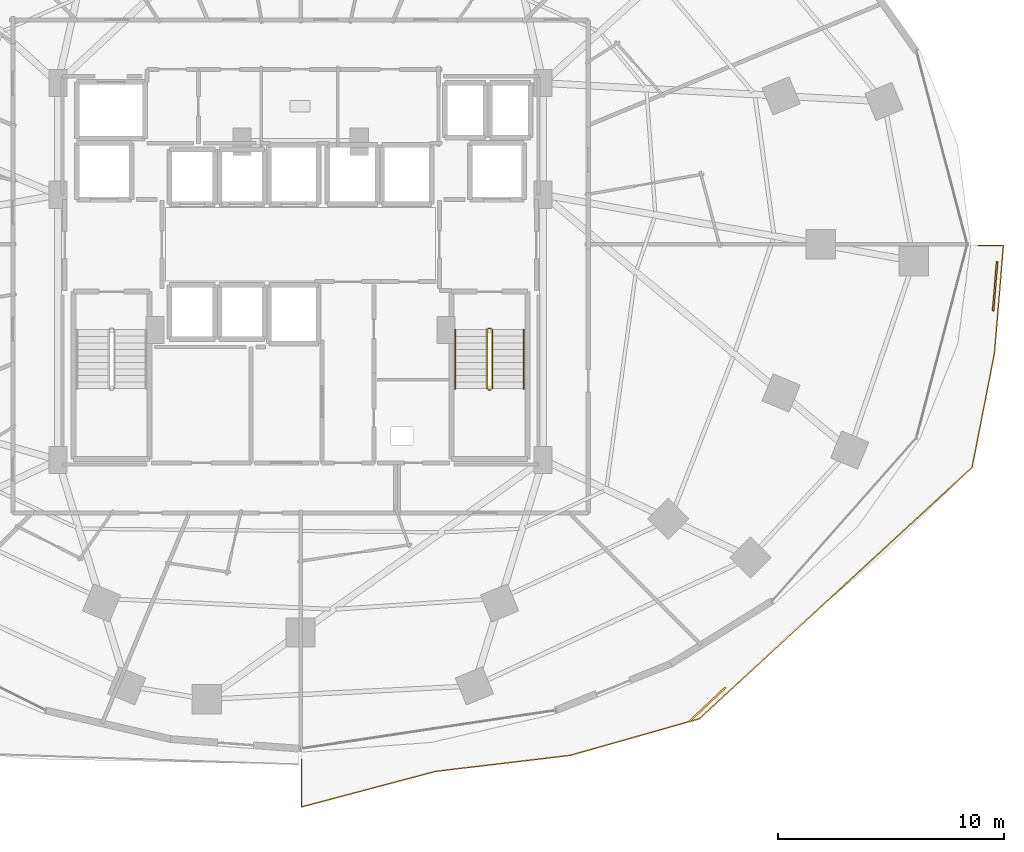
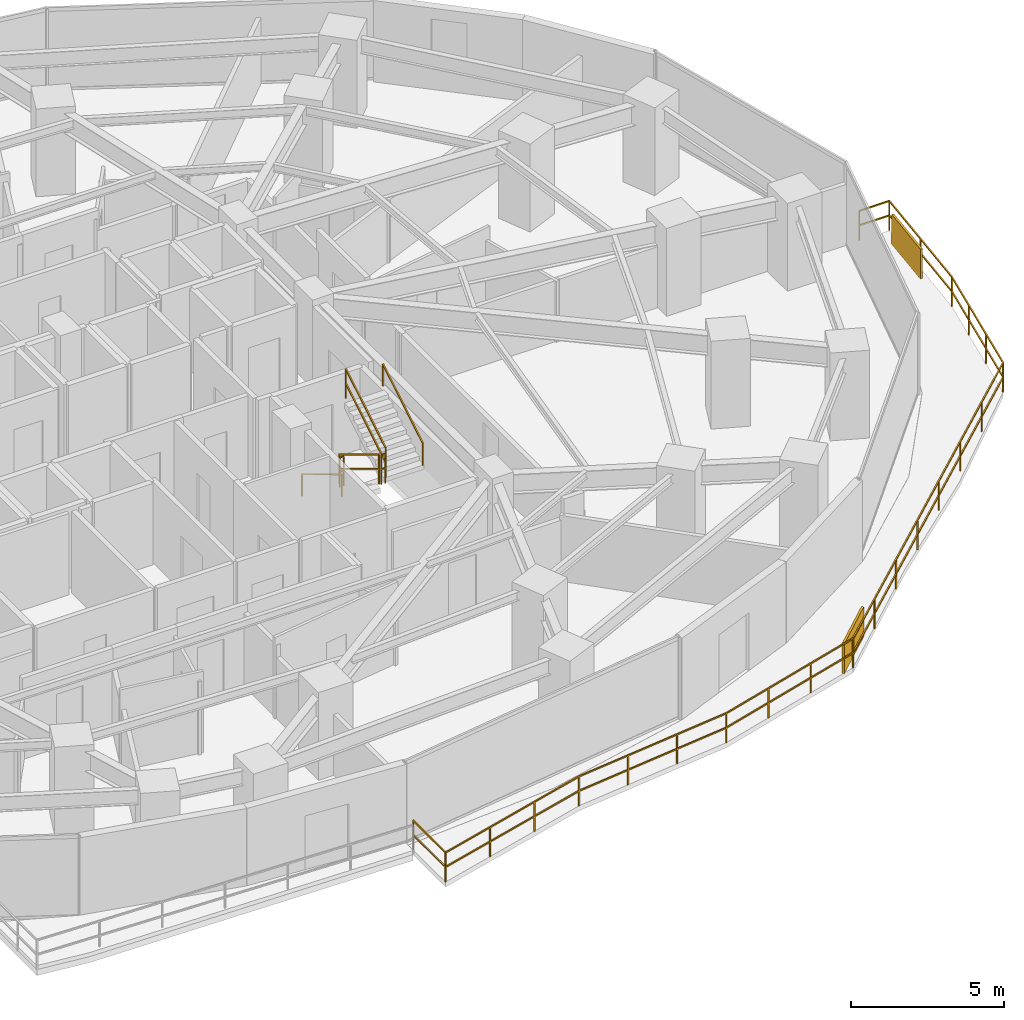
# One storey, part 34 of 36: 8 railings, 2 shading devices.
"""IFC4 building model written with IfcOpenShell, lengths in metres."""

from ifc_helpers import new_model, si_unit, direction, frame, origin, origin_2d, place, context, subcontext, project, spatial, rectangle, extrude, material, type_object, element, save


model = new_model("IFC4")

# Units and contexts
model_context = context("Model", 3, precision=1e-05, world=origin(), true_north=direction((0.0, 1.0)))
body_context = subcontext(model_context, "Body", "Model", "MODEL_VIEW")
ifc_project = project(units=[si_unit("LENGTHUNIT", "METRE"), si_unit("AREAUNIT", "SQUARE_METRE"), si_unit("VOLUMEUNIT", "CUBIC_METRE"), si_unit("PLANEANGLEUNIT", "RADIAN"), si_unit("MASSUNIT", "GRAM", prefix="KILO")], contexts=[model_context])

# Site, building, storey
site_placement = place(None, origin())
site = spatial("IfcSite", under=ifc_project, at=site_placement, CompositionType="ELEMENT")
building_placement = place(site_placement, origin())
building = spatial("IfcBuilding", under=site, at=building_placement, Name="Vorneva Point Tower", CompositionType="ELEMENT")
storey_placement = place(building_placement, frame((0.0, 0.0, 24.0)))
storey = spatial("IfcBuildingStorey", under=building, at=storey_placement, Name="L05", CompositionType="ELEMENT", Elevation=24.0)

# Railings
ifc_material_1 = material(Name="Pale anodised aluminium", Category="aluminium")
railing_type_1 = type_object("IfcRailingType", Name="RL-BAL-1200", PredefinedType="BALUSTRADE", material=ifc_material_1)
railing_1_placement = place(storey_placement, frame((68.75634765625, 21.183349609375, 0.0)))
element("IfcRailing", 1, at=railing_1_placement, inside=storey, type_object=railing_type_1, Name="L05 Wave Balcony Balustrade SE.1", PredefinedType="BALUSTRADE", context=body_context, shape_type="SweptSolid", body=[
    extrude(rectangle(XDim=0.048095703125, YDim=0.048095703125, at=origin_2d()), frame((0.0, 0.0, 1.17578125), z_axis=(0.082487850113, 0.996592070299, 0.0), x_axis=(-0.996592070299, 0.082487850113, 0.0)), (0.0, 0.0, 1.0), 4.782958984375),
    extrude(rectangle(XDim=0.048095703125, YDim=0.048095703125, at=origin_2d()), frame((0.0, 0.0, 0.60009765625), z_axis=(0.082487850113, 0.996592070299, 0.0), x_axis=(-0.996592070299, 0.082487850113, 0.0)), (0.0, 0.0, 1.0), 4.782958984375),
    extrude(rectangle(XDim=0.048095703125, YDim=0.048095703125, at=origin_2d()), frame((0.39453125, 4.7666015625, 1.17578125), z_axis=(-1.0, 0.0, 0.0), x_axis=(0.0, -1.0, 0.0)), (0.0, 0.0, 1.0), 1.134765625),
    extrude(rectangle(XDim=0.048095703125, YDim=0.048095703125, at=origin_2d()), frame((0.39453125, 4.7666015625, 0.60009765625), z_axis=(-1.0, 0.0, 0.0), x_axis=(0.0, -1.0, 0.0)), (0.0, 0.0, 1.0), 1.134765625),
    extrude(rectangle(XDim=0.0419921875, YDim=0.0419921875, at=origin_2d()), origin(), (0.0, 0.0, 1.0), 1.15185546875),
    extrude(rectangle(XDim=0.0419921875, YDim=0.0419921875, at=origin_2d()), frame((0.197265625, 2.38330078125, 0.0)), (0.0, 0.0, 1.0), 1.15185546875),
    extrude(rectangle(XDim=0.0419921875, YDim=0.0419921875, at=origin_2d()), frame((0.39453125, 4.7666015625, 0.0)), (0.0, 0.0, 1.0), 1.15185546875),
    extrude(rectangle(XDim=0.0419921875, YDim=0.0419921875, at=origin_2d()), frame((-0.740234375, 4.7666015625, 0.0)), (0.0, 0.0, 1.0), 1.15185546875),
])
railing_2_placement = place(storey_placement, frame((38.050048828125, 3.182861328125, 0.0)))
element("IfcRailing", 2, at=railing_2_placement, inside=storey, type_object=railing_type_1, Name="L05 Wave Balcony Balustrade SE.2", PredefinedType="BALUSTRADE", context=body_context, shape_type="SweptSolid", body=[
    extrude(rectangle(XDim=0.048095703125, YDim=0.048095703125, at=origin_2d()), frame((0.0, 0.0, 1.17578125), z_axis=(0.0, -1.0, 0.0), x_axis=(1.0, 0.0, 0.0)), (0.0, 0.0, 1.0), 2.114501953125),
    extrude(rectangle(XDim=0.048095703125, YDim=0.048095703125, at=origin_2d()), frame((0.0, 0.0, 0.60009765625), z_axis=(0.0, -1.0, 0.0), x_axis=(1.0, 0.0, 0.0)), (0.0, 0.0, 1.0), 2.114501953125),
    extrude(rectangle(XDim=0.048095703125, YDim=0.048095703125, at=origin_2d()), frame((0.0, -2.114501953125, 1.17578125), z_axis=(0.966571808825, 0.256396057663, 0.0), x_axis=(-0.256396057663, 0.966571808825, 0.0)), (0.0, 0.0, 1.0), 6.1435546875),
    extrude(rectangle(XDim=0.048095703125, YDim=0.048095703125, at=origin_2d()), frame((0.0, -2.114501953125, 0.60009765625), z_axis=(0.966571808825, 0.256396057663, 0.0), x_axis=(-0.256396057663, 0.966571808825, 0.0)), (0.0, 0.0, 1.0), 6.1435546875),
    extrude(rectangle(XDim=0.048095703125, YDim=0.048095703125, at=origin_2d()), frame((5.938232421875, -0.539306640625, 1.17578125), z_axis=(0.993006335019, 0.118061080008, 0.0), x_axis=(-0.118061080008, 0.993006335019, 0.0)), (0.0, 0.0, 1.0), 6.003173828125),
    extrude(rectangle(XDim=0.048095703125, YDim=0.048095703125, at=origin_2d()), frame((5.938232421875, -0.539306640625, 0.60009765625), z_axis=(0.993006335019, 0.118061080008, 0.0), x_axis=(-0.118061080008, 0.993006335019, 0.0)), (0.0, 0.0, 1.0), 6.003173828125),
    extrude(rectangle(XDim=0.048095703125, YDim=0.048095703125, at=origin_2d()), frame((11.8994140625, 0.16943359375, 1.17578125), z_axis=(0.962077917803, 0.272774779032, 0.0), x_axis=(-0.272774779032, 0.962077917803, 0.0)), (0.0, 0.0, 1.0), 5.94921875),
    extrude(rectangle(XDim=0.048095703125, YDim=0.048095703125, at=origin_2d()), frame((11.8994140625, 0.16943359375, 0.60009765625), z_axis=(0.962077917803, 0.272774779032, 0.0), x_axis=(-0.272774779032, 0.962077917803, 0.0)), (0.0, 0.0, 1.0), 5.94921875),
    extrude(rectangle(XDim=0.048095703125, YDim=0.048095703125, at=origin_2d()), frame((17.623046875, 1.792236328125, 1.17578125), z_axis=(0.73534569508, 0.677692193202, 0.0), x_axis=(-0.677692193202, 0.73534569508, 0.0)), (0.0, 0.0, 1.0), 16.443115234375),
    extrude(rectangle(XDim=0.048095703125, YDim=0.048095703125, at=origin_2d()), frame((17.623046875, 1.792236328125, 0.60009765625), z_axis=(0.73534569508, 0.677692193202, 0.0), x_axis=(-0.677692193202, 0.73534569508, 0.0)), (0.0, 0.0, 1.0), 16.443115234375),
    extrude(rectangle(XDim=0.048095703125, YDim=0.048095703125, at=origin_2d()), frame((29.71435546875, 12.935546875, 1.17578125), z_axis=(0.192193840782, 0.981356982736, 0.0), x_axis=(-0.981356982736, 0.192193840782, 0.0)), (0.0, 0.0, 1.0), 5.1611328125),
    extrude(rectangle(XDim=0.048095703125, YDim=0.048095703125, at=origin_2d()), frame((29.71435546875, 12.935546875, 0.60009765625), z_axis=(0.192193840782, 0.981356982736, 0.0), x_axis=(-0.981356982736, 0.192193840782, 0.0)), (0.0, 0.0, 1.0), 5.1611328125),
    extrude(rectangle(XDim=0.0419921875, YDim=0.0419921875, at=origin_2d()), origin(), (0.0, 0.0, 1.0), 1.15185546875),
    extrude(rectangle(XDim=0.0419921875, YDim=0.0419921875, at=origin_2d()), frame((0.0, -2.114501953125, 0.0)), (0.0, 0.0, 1.0), 1.15185546875),
    extrude(rectangle(XDim=0.0419921875, YDim=0.0419921875, at=origin_2d()), frame((1.9794921875, -1.58935546875, 0.0)), (0.0, 0.0, 1.0), 1.15185546875),
    extrude(rectangle(XDim=0.0419921875, YDim=0.0419921875, at=origin_2d()), frame((3.958740234375, -1.064453125, 0.0)), (0.0, 0.0, 1.0), 1.15185546875),
    extrude(rectangle(XDim=0.0419921875, YDim=0.0419921875, at=origin_2d()), frame((5.938232421875, -0.539306640625, 0.0)), (0.0, 0.0, 1.0), 1.15185546875),
    extrude(rectangle(XDim=0.0419921875, YDim=0.0419921875, at=origin_2d()), frame((7.92529296875, -0.302978515625, 0.0)), (0.0, 0.0, 1.0), 1.15185546875),
    extrude(rectangle(XDim=0.0419921875, YDim=0.0419921875, at=origin_2d()), frame((9.912353515625, -0.06689453125, 0.0)), (0.0, 0.0, 1.0), 1.15185546875),
    extrude(rectangle(XDim=0.0419921875, YDim=0.0419921875, at=origin_2d()), frame((11.8994140625, 0.16943359375, 0.0)), (0.0, 0.0, 1.0), 1.15185546875),
    extrude(rectangle(XDim=0.0419921875, YDim=0.0419921875, at=origin_2d()), frame((13.807373046875, 0.71044921875, 0.0)), (0.0, 0.0, 1.0), 1.15185546875),
    extrude(rectangle(XDim=0.0419921875, YDim=0.0419921875, at=origin_2d()), frame((15.715087890625, 1.251220703125, 0.0)), (0.0, 0.0, 1.0), 1.15185546875),
    extrude(rectangle(XDim=0.0419921875, YDim=0.0419921875, at=origin_2d()), frame((17.623046875, 1.792236328125, 0.0)), (0.0, 0.0, 1.0), 1.15185546875),
    extrude(rectangle(XDim=0.0419921875, YDim=0.0419921875, at=origin_2d()), frame((19.350341796875, 3.384033203125, 0.0)), (0.0, 0.0, 1.0), 1.15185546875),
    extrude(rectangle(XDim=0.0419921875, YDim=0.0419921875, at=origin_2d()), frame((21.07763671875, 4.97607421875, 0.0)), (0.0, 0.0, 1.0), 1.15185546875),
    extrude(rectangle(XDim=0.0419921875, YDim=0.0419921875, at=origin_2d()), frame((22.804931640625, 6.56787109375, 0.0)), (0.0, 0.0, 1.0), 1.15185546875),
    extrude(rectangle(XDim=0.0419921875, YDim=0.0419921875, at=origin_2d()), frame((24.532470703125, 8.159912109375, 0.0)), (0.0, 0.0, 1.0), 1.15185546875),
    extrude(rectangle(XDim=0.0419921875, YDim=0.0419921875, at=origin_2d()), frame((26.259765625, 9.751708984375, 0.0)), (0.0, 0.0, 1.0), 1.15185546875),
    extrude(rectangle(XDim=0.0419921875, YDim=0.0419921875, at=origin_2d()), frame((27.987060546875, 11.34375, 0.0)), (0.0, 0.0, 1.0), 1.15185546875),
    extrude(rectangle(XDim=0.0419921875, YDim=0.0419921875, at=origin_2d()), frame((29.71435546875, 12.935546875, 0.0)), (0.0, 0.0, 1.0), 1.15185546875),
    extrude(rectangle(XDim=0.0419921875, YDim=0.0419921875, at=origin_2d()), frame((30.044921875, 14.623779296875, 0.0)), (0.0, 0.0, 1.0), 1.15185546875),
    extrude(rectangle(XDim=0.0419921875, YDim=0.0419921875, at=origin_2d()), frame((30.375732421875, 16.312255859375, 0.0)), (0.0, 0.0, 1.0), 1.15185546875),
    extrude(rectangle(XDim=0.0419921875, YDim=0.0419921875, at=origin_2d()), frame((30.706298828125, 18.00048828125, 0.0)), (0.0, 0.0, 1.0), 1.15185546875),
])
ifc_material_2 = material(Name="Brushed stainless steel S304", Category="steel")
railing_type_2 = type_object("IfcRailingType", Name="RL-HND-920", PredefinedType="HANDRAIL", material=ifc_material_2)
railing_3_placement = place(storey_placement, frame((44.85009765625, 22.219970703125, 0.175048828125)))
element("IfcRailing", 3, at=railing_3_placement, inside=storey, type_object=railing_type_2, Name="L05 ST2 stair handrail 1", PredefinedType="HANDRAIL", context=body_context, shape_type="SweptSolid", body=[
    extrude(rectangle(XDim=0.048095703125, YDim=0.048095703125, at=origin_2d()), frame((0.0, 0.0, 0.8759765625), z_axis=(0.0, -0.85618277418, 0.516673066065), x_axis=(1.0, 0.0, 0.0)), (0.0, 0.0, 1.0), 3.04833984375),
    extrude(rectangle(XDim=0.0419921875, YDim=0.0419921875, at=origin_2d()), origin(), (0.0, 0.0, 1.0), 0.851806640625),
    extrude(rectangle(XDim=0.0419921875, YDim=0.0419921875, at=origin_2d()), frame((0.0, -2.60986328125, 1.574951171875)), (0.0, 0.0, 1.0), 0.851806640625),
])
railing_4_placement = place(storey_placement, frame((47.89990234375, 19.610107421875, 1.925048828125)))
element("IfcRailing", 4, at=railing_4_placement, inside=storey, type_object=railing_type_2, Name="L05 ST2 stair handrail 2", PredefinedType="HANDRAIL", context=body_context, shape_type="SweptSolid", body=[
    extrude(rectangle(XDim=0.048095703125, YDim=0.048095703125, at=origin_2d()), frame((0.0, 0.0, 0.8759765625), z_axis=(0.0, 0.85618277418, 0.516673066065), x_axis=(-1.0, 0.0, 0.0)), (0.0, 0.0, 1.0), 3.04833984375),
    extrude(rectangle(XDim=0.0419921875, YDim=0.0419921875, at=origin_2d()), origin(), (0.0, 0.0, 1.0), 0.851806640625),
    extrude(rectangle(XDim=0.0419921875, YDim=0.0419921875, at=origin_2d()), frame((0.0, 2.60986328125, 1.574951171875)), (0.0, 0.0, 1.0), 0.851806640625),
])
railing_type_3 = type_object("IfcRailingType", Name="RL-STG-1100", PredefinedType="GUARDRAIL", material=ifc_material_2)
railing_5_placement = place(storey_placement, frame((46.25, 22.219970703125, 0.175048828125)))
element("IfcRailing", 5, at=railing_5_placement, inside=storey, type_object=railing_type_3, Name="L05 ST2 stair guard 1", PredefinedType="GUARDRAIL", context=body_context, shape_type="SweptSolid", body=[
    extrude(rectangle(XDim=0.048095703125, YDim=0.048095703125, at=origin_2d()), frame((0.0, 0.0, 1.17578125), z_axis=(0.0, -0.85618277418, 0.516673066065), x_axis=(1.0, 0.0, 0.0)), (0.0, 0.0, 1.0), 3.04833984375),
    extrude(rectangle(XDim=0.048095703125, YDim=0.048095703125, at=origin_2d()), frame((0.0, 0.0, 0.60009765625), z_axis=(0.0, -0.85618277418, 0.516673066065), x_axis=(1.0, 0.0, 0.0)), (0.0, 0.0, 1.0), 3.04833984375),
    extrude(rectangle(XDim=0.0419921875, YDim=0.0419921875, at=origin_2d()), origin(), (0.0, 0.0, 1.0), 1.15185546875),
    extrude(rectangle(XDim=0.0419921875, YDim=0.0419921875, at=origin_2d()), frame((0.0, -2.60986328125, 1.574951171875)), (0.0, 0.0, 1.0), 1.15185546875),
])
railing_6_placement = place(storey_placement, frame((46.300048828125, 19.56005859375, 1.75)))
element("IfcRailing", 6, at=railing_6_placement, inside=storey, type_object=railing_type_3, Name="L05 ST2 stair guard 2", PredefinedType="GUARDRAIL", context=body_context, shape_type="SweptSolid", body=[
    extrude(rectangle(XDim=0.048095703125, YDim=0.048095703125, at=origin_2d()), frame((0.0, 0.0, 1.17578125), z_axis=(1.0, 0.0, 0.0), x_axis=(0.0, 1.0, 0.0)), (0.0, 0.0, 1.0), 0.14990234375),
    extrude(rectangle(XDim=0.048095703125, YDim=0.048095703125, at=origin_2d()), frame((0.0, 0.0, 0.60009765625), z_axis=(1.0, 0.0, 0.0), x_axis=(0.0, 1.0, 0.0)), (0.0, 0.0, 1.0), 0.14990234375),
    extrude(rectangle(XDim=0.0419921875, YDim=0.0419921875, at=origin_2d()), origin(), (0.0, 0.0, 1.0), 1.15185546875),
    extrude(rectangle(XDim=0.0419921875, YDim=0.0419921875, at=origin_2d()), frame((0.14990234375, 0.0, 0.0)), (0.0, 0.0, 1.0), 1.15185546875),
])
railing_7_placement = place(storey_placement, frame((46.5, 19.610107421875, 1.925048828125)))
element("IfcRailing", 7, at=railing_7_placement, inside=storey, type_object=railing_type_3, Name="L05 ST2 stair guard 3", PredefinedType="GUARDRAIL", context=body_context, shape_type="SweptSolid", body=[
    extrude(rectangle(XDim=0.048095703125, YDim=0.048095703125, at=origin_2d()), frame((0.0, 0.0, 1.17578125), z_axis=(0.0, 0.85618277418, 0.516673066065), x_axis=(-1.0, 0.0, 0.0)), (0.0, 0.0, 1.0), 3.04833984375),
    extrude(rectangle(XDim=0.048095703125, YDim=0.048095703125, at=origin_2d()), frame((0.0, 0.0, 0.60009765625), z_axis=(0.0, 0.85618277418, 0.516673066065), x_axis=(-1.0, 0.0, 0.0)), (0.0, 0.0, 1.0), 3.04833984375),
    extrude(rectangle(XDim=0.0419921875, YDim=0.0419921875, at=origin_2d()), origin(), (0.0, 0.0, 1.0), 1.15185546875),
    extrude(rectangle(XDim=0.0419921875, YDim=0.0419921875, at=origin_2d()), frame((0.0, 2.60986328125, 1.574951171875)), (0.0, 0.0, 1.0), 1.15185546875),
])
railing_8_placement = place(storey_placement, frame((46.300048828125, 22.27001953125, 0.0)))
element("IfcRailing", 8, at=railing_8_placement, inside=storey, type_object=railing_type_3, Name="L05 ST2 stair guard 4", PredefinedType="GUARDRAIL", context=body_context, shape_type="SweptSolid", body=[
    extrude(rectangle(XDim=0.048095703125, YDim=0.048095703125, at=origin_2d()), frame((0.0, 0.0, 1.17578125), z_axis=(1.0, 0.0, 0.0), x_axis=(0.0, 1.0, 0.0)), (0.0, 0.0, 1.0), 0.14990234375),
    extrude(rectangle(XDim=0.048095703125, YDim=0.048095703125, at=origin_2d()), frame((0.0, 0.0, 0.60009765625), z_axis=(1.0, 0.0, 0.0), x_axis=(0.0, 1.0, 0.0)), (0.0, 0.0, 1.0), 0.14990234375),
    extrude(rectangle(XDim=0.0419921875, YDim=0.0419921875, at=origin_2d()), origin(), (0.0, 0.0, 1.0), 1.15185546875),
    extrude(rectangle(XDim=0.0419921875, YDim=0.0419921875, at=origin_2d()), frame((0.14990234375, 0.0, 0.0)), (0.0, 0.0, 1.0), 1.15185546875),
])

# Shading devices
shading_device_type = type_object("IfcShadingDeviceType", Name="SHD-JAL-1200", PredefinedType="JALOUSIE", material=ifc_material_1)
for number, where, z_axis, x_axis, name in (
    (9, (68.78076171875, 24.145263671875, -0.02001953125), (0.0, 0.0, 1.0), (0.082495123145, 0.996591468284, 0.0), "L05 Balcony Vertical-Greenery Planter Screen SE.1"),
    (10, (56.03759765625, 5.61962890625, -0.02001953125), (0.0, 0.0, 1.0), (0.728538369925, 0.685004995271, 0.0), "L05 Balcony Vertical-Greenery Planter Screen SE.2"),
):
    element("IfcShadingDevice", number, at=place(storey_placement, frame(where, z_axis=z_axis, x_axis=x_axis)), inside=storey, type_object=shading_device_type, Name=name, PredefinedType="JALOUSIE", context=body_context, shape_type="SweptSolid", body=[
        extrude(rectangle(XDim=2.199951171875, YDim=0.080078125, at=origin_2d()), origin(), (0.0, 0.0, 1.0), 1.199951171875),
    ])

save(model, "model.ifc")
